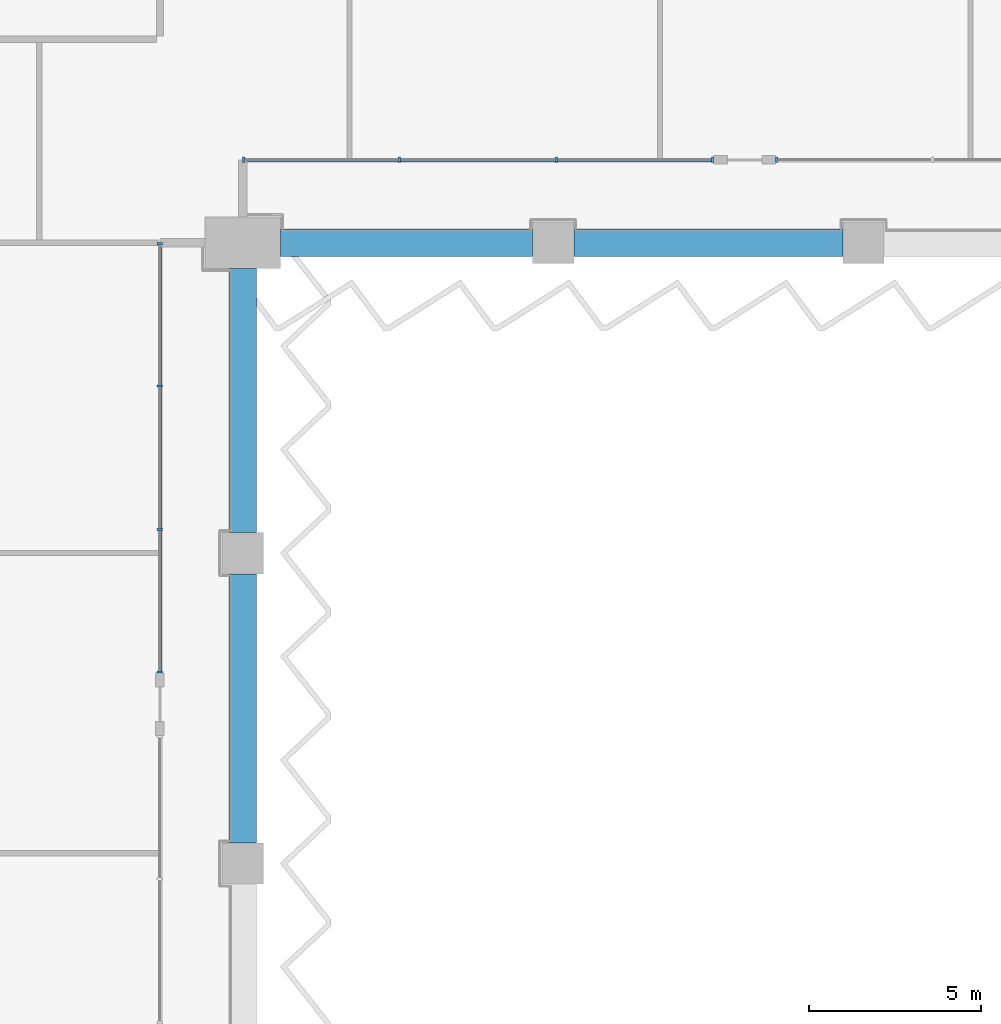
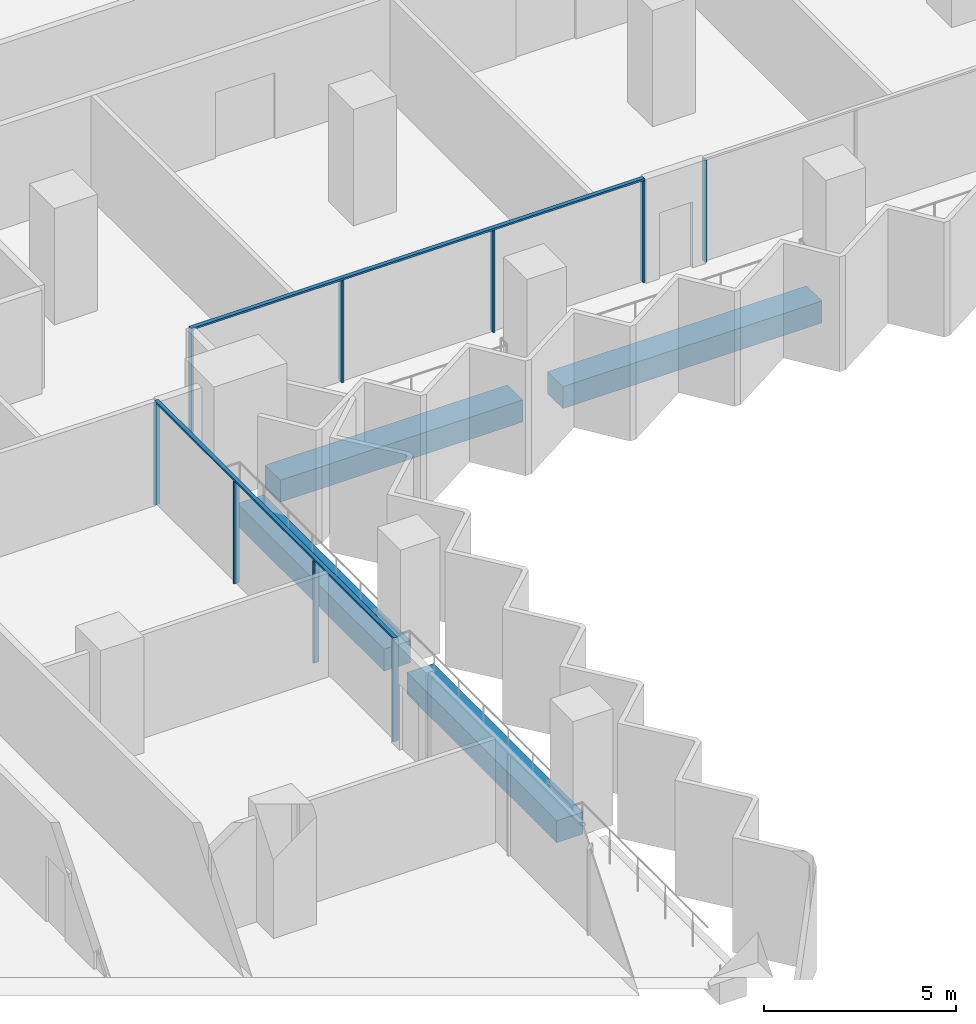
# One storey, part 4 of 22: 11 members, 4 beams, 3 elements without a shape of their own.
"""IFC4 building model written with IfcOpenShell, lengths in metres."""

from ifc_helpers import new_model, si_unit, direction, frame, origin, origin_2d, place, context, subcontext, project, spatial, rectangle, extrude, material, material_profile, profile_set, type_object, element, aggregate, save


model = new_model("IFC4")

# Units and contexts
model_context = context("Model", 3, precision=1e-05, world=origin(), true_north=direction((0.0, 1.0)))
body_context = subcontext(model_context, "Body", "Model", "MODEL_VIEW")
ifc_project = project(units=[si_unit("LENGTHUNIT", "METRE"), si_unit("AREAUNIT", "SQUARE_METRE"), si_unit("VOLUMEUNIT", "CUBIC_METRE"), si_unit("PLANEANGLEUNIT", "RADIAN"), si_unit("MASSUNIT", "GRAM", prefix="KILO")], contexts=[model_context])

# Site, building, storey
site_placement = place(None, origin())
site = spatial("IfcSite", under=ifc_project, at=site_placement, CompositionType="ELEMENT")
building_placement = place(site_placement, origin())
building = spatial("IfcBuilding", under=site, at=building_placement, Name="Hunhe Ridgeline Campus", CompositionType="ELEMENT")
storey_placement = place(building_placement, frame((0.0, 0.0, 92.199951171875)))
storey = spatial("IfcBuildingStorey", under=building, at=storey_placement, Name="L22", CompositionType="ELEMENT", Elevation=92.199951171875)

# Curtain wall, members
ifc_material_1 = material(Name="Aluminium 6063", Category="aluminium")
curtain_wall_type = type_object("IfcCurtainWallType", Name="Curtain wall CW-1", PredefinedType="NOTDEFINED", material=ifc_material_1)
curtain_wall_1_placement = place(storey_placement, origin())
curtain_wall_1 = element("IfcCurtainWall", 1, at=curtain_wall_1_placement, inside=storey, type_object=curtain_wall_type, Name="Curtain wall 12", PredefinedType="NOTDEFINED")
ifc_material_profile_1 = material_profile(ifc_material_1, rectangle(XDim=0.159912109375, YDim=0.06005859375, at=origin_2d()))
ifc_profile_set_1 = profile_set([ifc_material_profile_1], Name="Aluminium 6063")
member_type_1 = type_object("IfcMemberType", Name="CW-1 aluminium mullion", PredefinedType="MULLION", material=ifc_profile_set_1)
member_1_placement = place(storey_placement, frame((42.59912109375, 41.548583984375, 0.0), z_axis=(0.0, 0.0, 1.0), x_axis=(-0.99999999994, 1.0975712e-05, 0.0)))
member_1 = element("IfcMember", 2, at=member_1_placement, type_object=member_type_1, Name="CW-1 mullion 1", PredefinedType="MULLION", context=body_context, shape_type="SweptSolid", body=[
    extrude(rectangle(XDim=0.159912109375, YDim=0.06005859375, at=origin_2d()), origin(), (0.0, 0.0, 1.0), 3.239990234375),
])
member_2_placement = place(storey_placement, frame((42.59912109375, 45.67919921875, 0.0), z_axis=(0.0, 0.0, 1.0), x_axis=(-0.99999999994, 1.0975712e-05, 0.0)))
member_2 = element("IfcMember", 3, at=member_2_placement, type_object=member_type_1, Name="CW-1 mullion 2", PredefinedType="MULLION", context=body_context, shape_type="SweptSolid", body=[
    extrude(rectangle(XDim=0.159912109375, YDim=0.06005859375, at=origin_2d()), origin(), (0.0, 0.0, 1.0), 3.239990234375),
])
member_3_placement = place(storey_placement, frame((42.599365234375, 49.840087890625, 0.0), z_axis=(0.0, 0.0, 1.0), x_axis=(-0.99999999994, 1.0975712e-05, 0.0)))
member_3 = element("IfcMember", 4, at=member_3_placement, type_object=member_type_1, Name="CW-1 mullion 3", PredefinedType="MULLION", context=body_context, shape_type="SweptSolid", body=[
    extrude(rectangle(XDim=0.159912109375, YDim=0.06005859375, at=origin_2d()), origin(), (0.0, 0.0, 1.0), 3.239990234375),
])
member_4_placement = place(storey_placement, frame((42.599365234375, 53.970703125, 0.0), z_axis=(0.0, 0.0, 1.0), x_axis=(-0.99999999994, 1.0975712e-05, 0.0)))
member_4 = element("IfcMember", 5, at=member_4_placement, type_object=member_type_1, Name="CW-1 mullion 4", PredefinedType="MULLION", context=body_context, shape_type="SweptSolid", body=[
    extrude(rectangle(XDim=0.159912109375, YDim=0.06005859375, at=origin_2d()), origin(), (0.0, 0.0, 1.0), 3.239990234375),
])

curtain_wall_2_placement = place(storey_placement, origin())
curtain_wall_2 = element("IfcCurtainWall", 6, at=curtain_wall_2_placement, inside=storey, type_object=curtain_wall_type, Name="Curtain wall 13", PredefinedType="NOTDEFINED")
member_5_placement = place(storey_placement, frame((45.02978515625, 56.40087890625, 0.0), z_axis=(0.0, 0.0, 1.0), x_axis=(-1.4652e-07, 1.0, 0.0)))
member_5 = element("IfcMember", 7, at=member_5_placement, type_object=member_type_1, Name="CW-1 mullion 1", PredefinedType="MULLION", context=body_context, shape_type="SweptSolid", body=[
    extrude(rectangle(XDim=0.159912109375, YDim=0.06005859375, at=origin_2d()), origin(), (0.0, 0.0, 1.0), 3.239990234375),
])
member_6_placement = place(storey_placement, frame((49.5498046875, 56.40087890625, 0.0), z_axis=(0.0, 0.0, 1.0), x_axis=(-1.4652e-07, 1.0, 0.0)))
member_6 = element("IfcMember", 8, at=member_6_placement, type_object=member_type_1, Name="CW-1 mullion 2", PredefinedType="MULLION", context=body_context, shape_type="SweptSolid", body=[
    extrude(rectangle(XDim=0.159912109375, YDim=0.06005859375, at=origin_2d()), origin(), (0.0, 0.0, 1.0), 3.239990234375),
])
member_7_placement = place(storey_placement, frame((54.099609375, 56.40087890625, 0.0), z_axis=(0.0, 0.0, 1.0), x_axis=(-1.4652e-07, 1.0, 0.0)))
member_7 = element("IfcMember", 9, at=member_7_placement, type_object=member_type_1, Name="CW-1 mullion 3", PredefinedType="MULLION", context=body_context, shape_type="SweptSolid", body=[
    extrude(rectangle(XDim=0.159912109375, YDim=0.06005859375, at=origin_2d()), origin(), (0.0, 0.0, 1.0), 3.239990234375),
])
member_8_placement = place(storey_placement, frame((58.619384765625, 56.40087890625, 0.0), z_axis=(0.0, 0.0, 1.0), x_axis=(-1.4652e-07, 1.0, 0.0)))
member_8 = element("IfcMember", 10, at=member_8_placement, type_object=member_type_1, Name="CW-1 mullion 4", PredefinedType="MULLION", context=body_context, shape_type="SweptSolid", body=[
    extrude(rectangle(XDim=0.159912109375, YDim=0.06005859375, at=origin_2d()), origin(), (0.0, 0.0, 1.0), 3.239990234375),
])

# Curtain wall, member
curtain_wall_3_placement = place(storey_placement, origin())
curtain_wall_3 = element("IfcCurtainWall", 11, at=curtain_wall_3_placement, inside=storey, type_object=curtain_wall_type, Name="Curtain wall 14", PredefinedType="NOTDEFINED")
member_9_placement = place(storey_placement, frame((60.4794921875, 56.40087890625, 0.0), z_axis=(0.0, 0.0, 1.0), x_axis=(-1.4652e-07, 1.0, 0.0)))
member_9 = element("IfcMember", 12, at=member_9_placement, type_object=member_type_1, Name="CW-1 mullion 1", PredefinedType="MULLION", context=body_context, shape_type="SweptSolid", body=[
    extrude(rectangle(XDim=0.159912109375, YDim=0.06005859375, at=origin_2d()), origin(), (0.0, 0.0, 1.0), 3.239990234375),
])
aggregate(curtain_wall_3, [member_9])

# Member
ifc_material_profile_2 = material_profile(ifc_material_1, rectangle(XDim=0.1201171875, YDim=0.06005859375, at=origin_2d()))
ifc_profile_set_2 = profile_set([ifc_material_profile_2], Name="Aluminium 6063")
member_type_2 = type_object("IfcMemberType", Name="CW-1 aluminium transom", PredefinedType="USERDEFINED", material=ifc_profile_set_2)
member_10_placement = place(storey_placement, frame((42.59912109375, 41.5185546875, 3.27001953125), z_axis=(1.9559137e-05, 0.999999999809, 0.0), x_axis=(-0.999999999809, 1.9559137e-05, 0.0)))
member_10 = element("IfcMember", 13, at=member_10_placement, type_object=member_type_2, Name="CW-1 transom 1", ObjectType="TRANSOM", PredefinedType="USERDEFINED", context=body_context, shape_type="SweptSolid", body=[
    extrude(rectangle(XDim=0.1201171875, YDim=0.06005859375, at=origin_2d()), origin(), (0.0, 0.0, 1.0), 12.482177734375),
])

aggregate(curtain_wall_1, [member_10, member_1, member_2, member_3, member_4])

member_11_placement = place(storey_placement, frame((45.0, 56.40087890625, 3.27001953125), z_axis=(1.0, 0.0, 0.0), x_axis=(0.0, 1.0, 0.0)))
member_11 = element("IfcMember", 14, at=member_11_placement, type_object=member_type_2, Name="CW-1 transom 1", ObjectType="TRANSOM", PredefinedType="USERDEFINED", context=body_context, shape_type="SweptSolid", body=[
    extrude(rectangle(XDim=0.1201171875, YDim=0.06005859375, at=origin_2d()), origin(), (0.0, 0.0, 1.0), 13.6494140625),
])

aggregate(curtain_wall_2, [member_11, member_5, member_6, member_7, member_8])

# Beams
ifc_material_2 = material(Name="Concrete C60", Category="concrete")
ifc_material_profile_3 = material_profile(ifc_material_2, rectangle(XDim=0.800048828125, YDim=0.699951171875, at=origin_2d()))
ifc_profile_set_3 = profile_set([ifc_material_profile_3], Name="Concrete C60")
beam_type = type_object("IfcBeamType", Name="RC spandrel beam 800x700 Concrete C60", PredefinedType="SPANDREL", material=ifc_profile_set_3)
beam_1_placement = place(storey_placement, frame((45.0, 36.60009765625, -0.599853515625), z_axis=(0.0, 1.0, 0.0), x_axis=(-1.0, 0.0, 0.0)))
element("IfcBeam", 15, at=beam_1_placement, inside=storey, type_object=beam_type, Name="Spandrel beam B1-10 L22", PredefinedType="SPANDREL", context=body_context, shape_type="SweptSolid", body=[
    extrude(rectangle(XDim=0.800048828125, YDim=0.699951171875, at=origin_2d()), origin(), (0.0, 0.0, 1.0), 7.7998046875),
])
beam_2_placement = place(storey_placement, frame((45.0, 45.60009765625, -0.599853515625), z_axis=(0.0, 1.0, 0.0), x_axis=(-1.0, 0.0, 0.0)))
element("IfcBeam", 16, at=beam_2_placement, inside=storey, type_object=beam_type, Name="Spandrel beam B1-11 L22", PredefinedType="SPANDREL", context=body_context, shape_type="SweptSolid", body=[
    extrude(rectangle(XDim=0.800048828125, YDim=0.699951171875, at=origin_2d()), origin(), (0.0, 0.0, 1.0), 7.64990234375),
])
beam_3_placement = place(storey_placement, frame((46.10009765625, 54.0, -0.599853515625), z_axis=(1.0, 0.0, 0.0), x_axis=(0.0, 1.0, 0.0)))
element("IfcBeam", 17, at=beam_3_placement, inside=storey, type_object=beam_type, Name="Spandrel beam B1-12 L22", PredefinedType="SPANDREL", context=body_context, shape_type="SweptSolid", body=[
    extrude(rectangle(XDim=0.800048828125, YDim=0.699951171875, at=origin_2d()), origin(), (0.0, 0.0, 1.0), 7.2998046875),
])
beam_4_placement = place(storey_placement, frame((54.60009765625, 54.0, -0.599853515625), z_axis=(1.0, 0.0, 0.0), x_axis=(0.0, 1.0, 0.0)))
element("IfcBeam", 18, at=beam_4_placement, inside=storey, type_object=beam_type, Name="Spandrel beam B1-13 L22", PredefinedType="SPANDREL", context=body_context, shape_type="SweptSolid", body=[
    extrude(rectangle(XDim=0.800048828125, YDim=0.699951171875, at=origin_2d()), origin(), (0.0, 0.0, 1.0), 7.7998046875),
])

save(model, "model.ifc")
